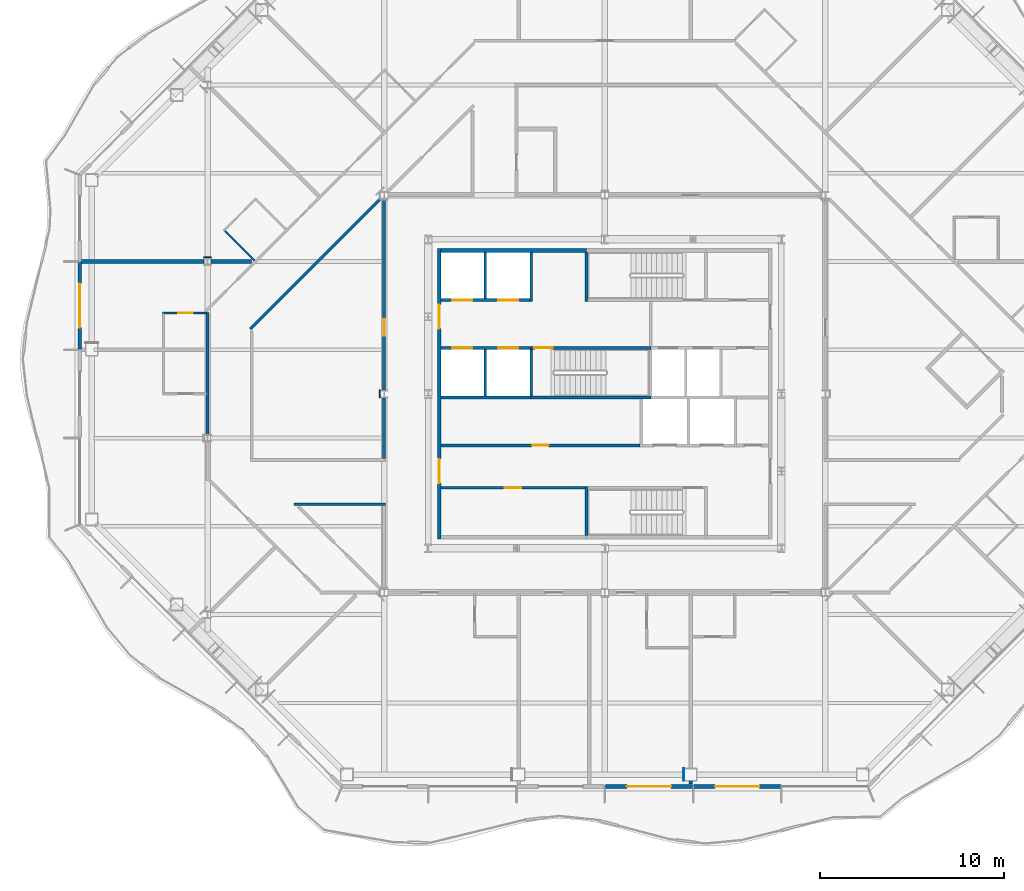
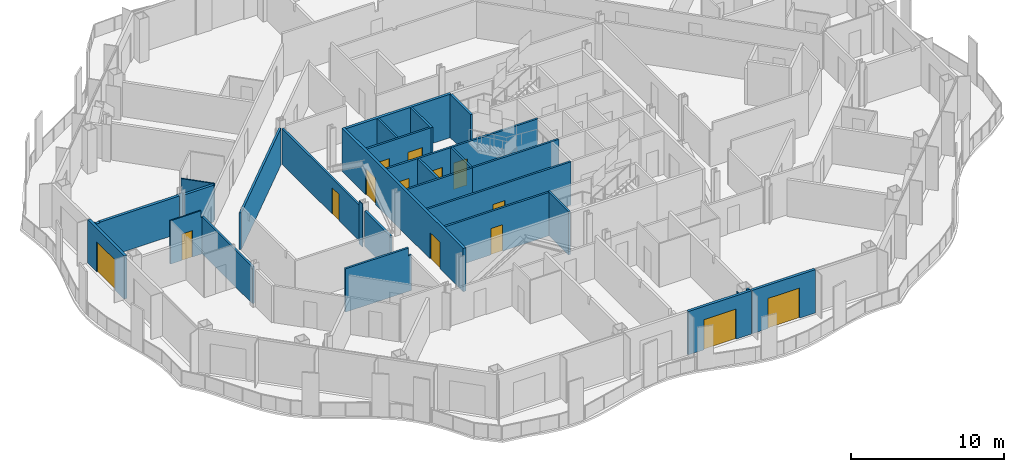
# One storey, part 8 of 21: 31 walls, 14 doors, 14 openings.
"""IFC4 building model written with IfcOpenShell, lengths in metres."""

from ifc_helpers import new_model, si_unit, direction, frame, frame_2d, origin, place, context, subcontext, project, spatial, polyline, rectangle, outline, extrude, material, layer, layer_set, type_object, element, fill, save


model = new_model("IFC4")

# Units and contexts
model_context = context("Model", 3, precision=1e-05, world=origin(), true_north=direction((0.0, 1.0)))
body_context = subcontext(model_context, "Body", "Model", "MODEL_VIEW")
ifc_project = project(units=[si_unit("LENGTHUNIT", "METRE"), si_unit("AREAUNIT", "SQUARE_METRE"), si_unit("VOLUMEUNIT", "CUBIC_METRE"), si_unit("PLANEANGLEUNIT", "RADIAN"), si_unit("MASSUNIT", "GRAM", prefix="KILO")], contexts=[model_context])

# Site, building, storey
site_placement = place(None, origin())
site = spatial("IfcSite", under=ifc_project, at=site_placement, CompositionType="ELEMENT")
building_placement = place(site_placement, origin())
building = spatial("IfcBuilding", under=site, at=building_placement, Name="Cairn Pilgrim Tower", CompositionType="ELEMENT")
storey_placement = place(building_placement, frame((0.0, 0.0, 132.60009765625)))
storey = spatial("IfcBuildingStorey", under=building, at=storey_placement, Name="L32", CompositionType="ELEMENT", Elevation=132.60009765625)

# Wall, opening, door
ifc_material_1 = material(Name="Bronze anodised aluminium insulated sandwich panel with mineral wool fill", Category="aluminium")
ifc_layer_1 = layer(ifc_material_1, 0.199951171875)
ifc_layer_set_1 = layer_set([ifc_layer_1], Name="BRONZE INFILL FRAME WALL 200")
wall_type_1 = type_object("IfcWallType", Name="BRONZE INFILL FRAME WALL 200", PredefinedType="NOTDEFINED", material=ifc_layer_set_1)
wall_1_placement = place(storey_placement, frame((7.22998046875, -18.949951171875, 0.0), z_axis=(0.0, 0.0, 1.0), x_axis=(1.0, 0.0, 0.0)))
wall_1 = element("IfcWall", 1, at=wall_1_placement, inside=storey, type_object=wall_type_1, Name="Bronze infill frame wall IW-S4", PredefinedType="NOTDEFINED", context=body_context, shape_type="SweptSolid", body=[
    extrude(rectangle(XDim=4.739990234375, YDim=0.199951171875, at=frame_2d((2.3701171875, 0.0))), origin(), (0.0, 0.0, 1.0), 3.449951171875),
])
opening_1_placement = place(wall_1_placement, frame((1.17041015625, 0.0, 0.0)))
opening_1 = element("IfcOpeningElement", 2, at=opening_1_placement, cuts=wall_1, Name="Opening 3201B", PredefinedType="OPENING", context=body_context, shape_type="SweptSolid", body=[
    extrude(rectangle(XDim=2.39990234375, YDim=2.39990234375, at=frame_2d((1.199951171875, 1.199951171875))), frame((0.0, 0.10986328125, 0.0), z_axis=(0.0, -1.0, 0.0), x_axis=(1.0, 0.0, 0.0)), (0.0, 0.0, 1.0), 0.219970703125),
])
ifc_material_2 = material(Name="Bronze anodised aluminium frame with tinted low-E glass", Category="aluminium")
door_type_1 = type_object("IfcDoorType", Name="BALCONY SLIDING DOOR 2400x2400", OperationType="DOUBLE_DOOR_SLIDING", PredefinedType="DOOR", material=ifc_material_2)
door_1_placement = place(opening_1_placement, origin())
door_1 = element("IfcDoor", 3, at=door_1_placement, inside=storey, type_object=door_type_1, Name="Balcony sliding door 3201B", OperationType="SINGLE_SWING_LEFT", OverallHeight=2.39990234375, OverallWidth=2.39990234375, PredefinedType="DOOR", context=body_context, shape_type="SweptSolid", body=[
    extrude(rectangle(XDim=2.39990234375, YDim=2.39990234375, at=frame_2d((1.199951171875, 1.199951171875))), frame((0.0, 0.02490234375, 0.0), z_axis=(0.0, -1.0, 0.0), x_axis=(1.0, 0.0, 0.0)), (0.0, 0.0, 1.0), 0.050048828125),
])
fill(opening_1, door_1)

wall_2_placement = place(storey_placement, frame((12.030029296875, -18.949951171875, 0.0), z_axis=(0.0, 0.0, 1.0), x_axis=(1.0, 0.0, 0.0)))
wall_2 = element("IfcWall", 4, at=wall_2_placement, inside=storey, type_object=wall_type_1, Name="Bronze infill frame wall IW-S5", PredefinedType="NOTDEFINED", context=body_context, shape_type="SweptSolid", body=[
    extrude(rectangle(XDim=4.739990234375, YDim=0.199951171875, at=frame_2d((2.3701171875, 0.0))), origin(), (0.0, 0.0, 1.0), 3.449951171875),
])
opening_2_placement = place(wall_2_placement, frame((1.169677734375, 0.0, 0.0)))
opening_2 = element("IfcOpeningElement", 5, at=opening_2_placement, cuts=wall_2, Name="Opening 3202B", PredefinedType="OPENING", context=body_context, shape_type="SweptSolid", body=[
    extrude(rectangle(XDim=2.39990234375, YDim=2.39990234375, at=frame_2d((1.199951171875, 1.199951171875))), frame((0.0, 0.10986328125, 0.0), z_axis=(0.0, -1.0, 0.0), x_axis=(1.0, 0.0, 0.0)), (0.0, 0.0, 1.0), 0.219970703125),
])
door_2_placement = place(opening_2_placement, origin())
door_2 = element("IfcDoor", 6, at=door_2_placement, inside=storey, type_object=door_type_1, Name="Balcony sliding door 3202B", OperationType="SINGLE_SWING_LEFT", OverallHeight=2.39990234375, OverallWidth=2.39990234375, PredefinedType="DOOR", context=body_context, shape_type="SweptSolid", body=[
    extrude(rectangle(XDim=2.39990234375, YDim=2.39990234375, at=frame_2d((1.199951171875, 1.199951171875))), frame((0.0, 0.02490234375, 0.0), z_axis=(0.0, -1.0, 0.0), x_axis=(1.0, 0.0, 0.0)), (0.0, 0.0, 1.0), 0.050048828125),
])
fill(opening_2, door_2)

wall_3_placement = place(storey_placement, frame((-21.35009765625, 9.570068359375, 0.0), z_axis=(0.0, 0.0, 1.0), x_axis=(0.0, -1.0, 0.0)))
wall_3 = element("IfcWall", 7, at=wall_3_placement, inside=storey, type_object=wall_type_1, Name="Bronze infill frame wall IW-W2", PredefinedType="NOTDEFINED", context=body_context, shape_type="SweptSolid", body=[
    extrude(rectangle(XDim=4.739990234375, YDim=0.199951171875, at=frame_2d((2.3701171875, 0.0))), origin(), (0.0, 0.0, 1.0), 3.449951171875),
])
opening_3_placement = place(wall_3_placement, frame((1.169921875, 0.0, 0.0)))
opening_3 = element("IfcOpeningElement", 8, at=opening_3_placement, cuts=wall_3, Name="Opening 3213B", PredefinedType="OPENING", context=body_context, shape_type="SweptSolid", body=[
    extrude(rectangle(XDim=2.39990234375, YDim=2.39990234375, at=frame_2d((1.199951171875, 1.199951171875))), frame((0.0, 0.10986328125, 0.0), z_axis=(0.0, -1.0, 0.0), x_axis=(1.0, 0.0, 0.0)), (0.0, 0.0, 1.0), 0.219970703125),
])
door_3_placement = place(opening_3_placement, origin())
door_3 = element("IfcDoor", 9, at=door_3_placement, inside=storey, type_object=door_type_1, Name="Balcony sliding door 3213B", OperationType="SINGLE_SWING_LEFT", OverallHeight=2.39990234375, OverallWidth=2.39990234375, PredefinedType="DOOR", context=body_context, shape_type="SweptSolid", body=[
    extrude(rectangle(XDim=2.39990234375, YDim=2.39990234375, at=frame_2d((1.199951171875, 1.199951171875))), frame((0.0, 0.02490234375, 0.0), z_axis=(0.0, -1.0, 0.0), x_axis=(1.0, 0.0, 0.0)), (0.0, 0.0, 1.0), 0.050048828125),
])
fill(opening_3, door_3)

# Wall
ifc_material_3 = material(Name="Concrete C32/40", Category="concrete")
ifc_layer_2 = layer(ifc_material_3, 0.199951171875)
ifc_layer_set_2 = layer_set([ifc_layer_2], Name="CORE OUTER WALL 200 EI 120")
wall_type_2 = type_object("IfcWallType", Name="CORE OUTER WALL 200 EI 120", PredefinedType="SOLIDWALL", material=ifc_layer_set_2)
wall_4_placement = place(storey_placement, frame((-1.699951171875, 10.199951171875, 0.0), z_axis=(0.0, 0.0, 1.0), x_axis=(1.0, 0.0, 0.0)))
element("IfcWall", 10, at=wall_4_placement, inside=storey, type_object=wall_type_2, Name="CW:L32:H12-1", PredefinedType="SOLIDWALL", context=body_context, shape_type="SweptSolid", body=[
    extrude(rectangle(XDim=7.89990234375, YDim=0.199951171875, at=frame_2d((3.949951171875, 0.0))), origin(), (0.0, 0.0, 1.0), 3.449951171875),
])

# Wall, openings, doors
wall_5_placement = place(storey_placement, frame((-1.800048828125, -5.5, 0.0), z_axis=(0.0, 0.0, 1.0), x_axis=(0.0, 1.0, 0.0)))
wall_5 = element("IfcWall", 11, at=wall_5_placement, inside=storey, type_object=wall_type_2, Name="CW:L32:V13", PredefinedType="SOLIDWALL", context=body_context, shape_type="SweptSolid", body=[
    extrude(rectangle(XDim=15.800048828125, YDim=0.199951171875, at=frame_2d((7.89990234375, 0.0))), origin(), (0.0, 0.0, 1.0), 3.449951171875),
])
opening_4_placement = place(wall_5_placement, frame((3.050048828125, 0.0, 0.0)))
opening_4 = element("IfcOpeningElement", 12, at=opening_4_placement, cuts=wall_5, Name="Opening CD-W1", PredefinedType="OPENING", context=body_context, shape_type="SweptSolid", body=[
    extrude(rectangle(XDim=1.300048828125, YDim=2.10009765625, at=frame_2d((0.64990234375, 1.050048828125))), frame((0.0, 0.10986328125, 0.0), z_axis=(0.0, -1.0, 0.0), x_axis=(1.0, 0.0, 0.0)), (0.0, 0.0, 1.0), 0.219970703125),
])
opening_5_placement = place(wall_5_placement, frame((11.449951171875, 0.0, 0.0)))
opening_5 = element("IfcOpeningElement", 13, at=opening_5_placement, cuts=wall_5, Name="Opening CD-W2", PredefinedType="OPENING", context=body_context, shape_type="SweptSolid", body=[
    extrude(rectangle(XDim=1.300048828125, YDim=2.10009765625, at=frame_2d((0.64990234375, 1.050048828125))), frame((0.0, 0.10986328125, 0.0), z_axis=(0.0, -1.0, 0.0), x_axis=(1.0, 0.0, 0.0)), (0.0, 0.0, 1.0), 0.219970703125),
])
ifc_material_4 = material(Name="Painted steel", Category="steel")
door_type_2 = type_object("IfcDoorType", Name="CORE LOBBY DOOR 1300x2100", OperationType="DOUBLE_DOOR_SINGLE_SWING", PredefinedType="DOOR", material=ifc_material_4)
door_4_placement = place(opening_4_placement, origin())
door_4 = element("IfcDoor", 14, at=door_4_placement, inside=storey, type_object=door_type_2, Name="CD-W1", OperationType="DOUBLE_DOOR_SINGLE_SWING", OverallHeight=2.10009765625, OverallWidth=1.300048828125, PredefinedType="DOOR", context=body_context, shape_type="SweptSolid", body=[
    extrude(rectangle(XDim=1.300048828125, YDim=2.10009765625, at=frame_2d((0.64990234375, 1.050048828125))), frame((0.0, 0.02490234375, 0.0), z_axis=(0.0, -1.0, 0.0), x_axis=(1.0, 0.0, 0.0)), (0.0, 0.0, 1.0), 0.050048828125),
])
fill(opening_4, door_4)
door_5_placement = place(opening_5_placement, origin())
door_5 = element("IfcDoor", 15, at=door_5_placement, inside=storey, type_object=door_type_2, Name="CD-W2", OperationType="DOUBLE_DOOR_SINGLE_SWING", OverallHeight=2.10009765625, OverallWidth=1.300048828125, PredefinedType="DOOR", context=body_context, shape_type="SweptSolid", body=[
    extrude(rectangle(XDim=1.300048828125, YDim=2.10009765625, at=frame_2d((0.64990234375, 1.050048828125))), frame((0.0, 0.02490234375, 0.0), z_axis=(0.0, -1.0, 0.0), x_axis=(1.0, 0.0, 0.0)), (0.0, 0.0, 1.0), 0.050048828125),
])
fill(opening_5, door_5)

# Wall, opening, door
ifc_layer_3 = layer(ifc_material_3, 0.14990234375)
ifc_layer_set_3 = layer_set([ifc_layer_3], Name="CORE PARTITION 150 EI 60")
wall_type_3 = type_object("IfcWallType", Name="CORE PARTITION 150 EI 60", PredefinedType="PARTITIONING", material=ifc_layer_set_3)
wall_6_placement = place(storey_placement, frame((-1.699951171875, -2.699951171875, 0.0), z_axis=(0.0, 0.0, 1.0), x_axis=(1.0, 0.0, 0.0)))
wall_6 = element("IfcWall", 16, at=wall_6_placement, inside=storey, type_object=wall_type_3, Name="CW:L32:H02", PredefinedType="PARTITIONING", context=body_context, shape_type="SweptSolid", body=[
    extrude(rectangle(XDim=7.824951171875, YDim=0.14990234375, at=frame_2d((3.91259765625, 0.0))), origin(), (0.0, 0.0, 1.0), 3.449951171875),
])
opening_6_placement = place(wall_6_placement, frame((3.449951171875, 0.0, 0.0)))
opening_6 = element("IfcOpeningElement", 17, at=opening_6_placement, cuts=wall_6, Name="Opening RD-R1W1", PredefinedType="OPENING", context=body_context, shape_type="SweptSolid", body=[
    extrude(rectangle(XDim=0.89990234375, YDim=2.10009765625, at=frame_2d((0.449951171875, 1.050048828125))), frame((0.0, 0.0849609375, 0.0), z_axis=(0.0, -1.0, 0.0), x_axis=(1.0, 0.0, 0.0)), (0.0, 0.0, 1.0), 0.169921875),
])
door_type_3 = type_object("IfcDoorType", Name="SERVICE ROOM DOOR 900x2100", OperationType="SINGLE_SWING_LEFT", PredefinedType="DOOR", material=ifc_material_4)
door_6_placement = place(opening_6_placement, origin())
door_6 = element("IfcDoor", 18, at=door_6_placement, inside=storey, type_object=door_type_3, Name="RD-R1W1", OperationType="SINGLE_SWING_LEFT", OverallHeight=2.10009765625, OverallWidth=0.89990234375, PredefinedType="DOOR", context=body_context, shape_type="SweptSolid", body=[
    extrude(rectangle(XDim=0.89990234375, YDim=2.10009765625, at=frame_2d((0.449951171875, 1.050048828125))), frame((0.0, 0.02490234375, 0.0), z_axis=(0.0, -1.0, 0.0), x_axis=(1.0, 0.0, 0.0)), (0.0, 0.0, 1.0), 0.050048828125),
])
fill(opening_6, door_6)

wall_7_placement = place(storey_placement, frame((-1.699951171875, -0.39990234375, 0.0), z_axis=(0.0, 0.0, 1.0), x_axis=(1.0, 0.0, 0.0)))
wall_7 = element("IfcWall", 19, at=wall_7_placement, inside=storey, type_object=wall_type_3, Name="CW:L32:H04", PredefinedType="PARTITIONING", context=body_context, shape_type="SweptSolid", body=[
    extrude(rectangle(XDim=10.824951171875, YDim=0.14990234375, at=frame_2d((5.41259765625, 0.0))), origin(), (0.0, 0.0, 1.0), 3.449951171875),
])
opening_7_placement = place(wall_7_placement, frame((4.949951171875, 0.0, 0.0)))
opening_7 = element("IfcOpeningElement", 20, at=opening_7_placement, cuts=wall_7, Name="Opening RD-R2W1", PredefinedType="OPENING", context=body_context, shape_type="SweptSolid", body=[
    extrude(rectangle(XDim=0.89990234375, YDim=2.10009765625, at=frame_2d((0.449951171875, 1.050048828125))), frame((0.0, 0.0849609375, 0.0), z_axis=(0.0, -1.0, 0.0), x_axis=(1.0, 0.0, 0.0)), (0.0, 0.0, 1.0), 0.169921875),
])
door_7_placement = place(opening_7_placement, origin())
door_7 = element("IfcDoor", 21, at=door_7_placement, inside=storey, type_object=door_type_3, Name="RD-R2W1", OperationType="SINGLE_SWING_RIGHT", OverallHeight=2.10009765625, OverallWidth=0.89990234375, PredefinedType="DOOR", context=body_context, shape_type="SweptSolid", body=[
    extrude(rectangle(XDim=0.89990234375, YDim=2.10009765625, at=frame_2d((0.449951171875, 1.050048828125))), frame((0.0, 0.02490234375, 0.0), z_axis=(0.0, -1.0, 0.0), x_axis=(1.0, 0.0, 0.0)), (0.0, 0.0, 1.0), 0.050048828125),
])
fill(opening_7, door_7)

# Wall
ifc_layer_4 = layer(ifc_material_3, 0.14990234375)
ifc_layer_set_4 = layer_set([ifc_layer_4], Name="CORE SHAFT WALL 150 EI 120")
wall_type_4 = type_object("IfcWallType", Name="CORE SHAFT WALL 150 EI 120", PredefinedType="SOLIDWALL", material=ifc_layer_set_4)
wall_8_placement = place(storey_placement, frame((-1.699951171875, 2.199951171875, 0.0), z_axis=(0.0, 0.0, 1.0), x_axis=(1.0, 0.0, 0.0)))
element("IfcWall", 22, at=wall_8_placement, inside=storey, type_object=wall_type_4, Name="CW:L32:H07-1", PredefinedType="SOLIDWALL", context=body_context, shape_type="SweptSolid", body=[
    extrude(rectangle(XDim=4.89990234375, YDim=0.14990234375, at=frame_2d((2.449951171875, 0.0))), origin(), (0.0, 0.0, 1.0), 3.449951171875),
])

# Wall, openings, doors
wall_9_placement = place(storey_placement, frame((-1.699951171875, 4.89990234375, 0.0), z_axis=(0.0, 0.0, 1.0), x_axis=(1.0, 0.0, 0.0)))
wall_9 = element("IfcWall", 23, at=wall_9_placement, inside=storey, type_object=wall_type_4, Name="CW:L32:H09-1", PredefinedType="SOLIDWALL", context=body_context, shape_type="SweptSolid", body=[
    extrude(rectangle(XDim=4.89990234375, YDim=0.14990234375, at=frame_2d((2.449951171875, 0.0))), origin(), (0.0, 0.0, 1.0), 3.449951171875),
])
opening_8_placement = place(wall_9_placement, frame((0.60009765625, 0.0, 0.0)))
opening_8 = element("IfcOpeningElement", 24, at=opening_8_placement, cuts=wall_9, Name="Opening LD-HR1", PredefinedType="OPENING", context=body_context, shape_type="SweptSolid", body=[
    extrude(rectangle(XDim=1.10009765625, YDim=2.10009765625, at=frame_2d((0.550048828125, 1.050048828125))), frame((0.0, 0.0849609375, 0.0), z_axis=(0.0, -1.0, 0.0), x_axis=(1.0, 0.0, 0.0)), (0.0, 0.0, 1.0), 0.169921875),
])
opening_9_placement = place(wall_9_placement, frame((3.10009765625, 0.0, 0.0)))
opening_9 = element("IfcOpeningElement", 25, at=opening_9_placement, cuts=wall_9, Name="Opening LD-HR2", PredefinedType="OPENING", context=body_context, shape_type="SweptSolid", body=[
    extrude(rectangle(XDim=1.10009765625, YDim=2.10009765625, at=frame_2d((0.550048828125, 1.050048828125))), frame((0.0, 0.0849609375, 0.0), z_axis=(0.0, -1.0, 0.0), x_axis=(1.0, 0.0, 0.0)), (0.0, 0.0, 1.0), 0.169921875),
])
ifc_material_5 = material(Name="Stainless steel", Category="steel")
door_type_4 = type_object("IfcDoorType", Name="LIFT LANDING DOOR 1100x2100", OperationType="DOUBLE_DOOR_SLIDING", PredefinedType="DOOR", material=ifc_material_5)
door_8_placement = place(opening_8_placement, origin())
door_8 = element("IfcDoor", 26, at=door_8_placement, inside=storey, type_object=door_type_4, Name="LANDING DOOR HR1", OperationType="DOUBLE_DOOR_SLIDING", OverallHeight=2.10009765625, OverallWidth=1.10009765625, PredefinedType="DOOR", context=body_context, shape_type="SweptSolid", body=[
    extrude(rectangle(XDim=1.10009765625, YDim=2.10009765625, at=frame_2d((0.550048828125, 1.050048828125))), frame((0.0, 0.02490234375, 0.0), z_axis=(0.0, -1.0, 0.0), x_axis=(1.0, 0.0, 0.0)), (0.0, 0.0, 1.0), 0.050048828125),
])
fill(opening_8, door_8)
door_9_placement = place(opening_9_placement, origin())
door_9 = element("IfcDoor", 27, at=door_9_placement, inside=storey, type_object=door_type_4, Name="LANDING DOOR HR2", OperationType="DOUBLE_DOOR_SLIDING", OverallHeight=2.10009765625, OverallWidth=1.10009765625, PredefinedType="DOOR", context=body_context, shape_type="SweptSolid", body=[
    extrude(rectangle(XDim=1.10009765625, YDim=2.10009765625, at=frame_2d((0.550048828125, 1.050048828125))), frame((0.0, 0.02490234375, 0.0), z_axis=(0.0, -1.0, 0.0), x_axis=(1.0, 0.0, 0.0)), (0.0, 0.0, 1.0), 0.050048828125),
])
fill(opening_9, door_9)

wall_10_placement = place(storey_placement, frame((-1.699951171875, 7.5, 0.0), z_axis=(0.0, 0.0, 1.0), x_axis=(1.0, 0.0, 0.0)))
wall_10 = element("IfcWall", 28, at=wall_10_placement, inside=storey, type_object=wall_type_4, Name="CW:L32:H10", PredefinedType="SOLIDWALL", context=body_context, shape_type="SweptSolid", body=[
    extrude(rectangle(XDim=4.824951171875, YDim=0.14990234375, at=frame_2d((2.41259765625, 0.0))), origin(), (0.0, 0.0, 1.0), 3.449951171875),
])
opening_10_placement = place(wall_10_placement, frame((0.60009765625, 0.0, 0.0)))
opening_10 = element("IfcOpeningElement", 29, at=opening_10_placement, cuts=wall_10, Name="Opening LD-HR3", PredefinedType="OPENING", context=body_context, shape_type="SweptSolid", body=[
    extrude(rectangle(XDim=1.10009765625, YDim=2.10009765625, at=frame_2d((0.550048828125, 1.050048828125))), frame((0.0, 0.0849609375, 0.0), z_axis=(0.0, -1.0, 0.0), x_axis=(1.0, 0.0, 0.0)), (0.0, 0.0, 1.0), 0.169921875),
])
opening_11_placement = place(wall_10_placement, frame((3.10009765625, 0.0, 0.0)))
opening_11 = element("IfcOpeningElement", 30, at=opening_11_placement, cuts=wall_10, Name="Opening LD-HR4", PredefinedType="OPENING", context=body_context, shape_type="SweptSolid", body=[
    extrude(rectangle(XDim=1.10009765625, YDim=2.10009765625, at=frame_2d((0.550048828125, 1.050048828125))), frame((0.0, 0.0849609375, 0.0), z_axis=(0.0, -1.0, 0.0), x_axis=(1.0, 0.0, 0.0)), (0.0, 0.0, 1.0), 0.169921875),
])
door_10_placement = place(opening_10_placement, origin())
door_10 = element("IfcDoor", 31, at=door_10_placement, inside=storey, type_object=door_type_4, Name="LANDING DOOR HR3", OperationType="DOUBLE_DOOR_SLIDING", OverallHeight=2.10009765625, OverallWidth=1.10009765625, PredefinedType="DOOR", context=body_context, shape_type="SweptSolid", body=[
    extrude(rectangle(XDim=1.10009765625, YDim=2.10009765625, at=frame_2d((0.550048828125, 1.050048828125))), frame((0.0, 0.02490234375, 0.0), z_axis=(0.0, -1.0, 0.0), x_axis=(1.0, 0.0, 0.0)), (0.0, 0.0, 1.0), 0.050048828125),
])
fill(opening_10, door_10)
door_11_placement = place(opening_11_placement, origin())
door_11 = element("IfcDoor", 32, at=door_11_placement, inside=storey, type_object=door_type_4, Name="LANDING DOOR HR4", OperationType="DOUBLE_DOOR_SLIDING", OverallHeight=2.10009765625, OverallWidth=1.10009765625, PredefinedType="DOOR", context=body_context, shape_type="SweptSolid", body=[
    extrude(rectangle(XDim=1.10009765625, YDim=2.10009765625, at=frame_2d((0.550048828125, 1.050048828125))), frame((0.0, 0.02490234375, 0.0), z_axis=(0.0, -1.0, 0.0), x_axis=(1.0, 0.0, 0.0)), (0.0, 0.0, 1.0), 0.050048828125),
])
fill(opening_11, door_11)

# Walls
wall_11_placement = place(storey_placement, frame((0.699951171875, 2.27490234375, 0.0), z_axis=(0.0, 0.0, 1.0), x_axis=(0.0, 1.0, 0.0)))
element("IfcWall", 33, at=wall_11_placement, inside=storey, type_object=wall_type_4, Name="CW:L32:V14", PredefinedType="SOLIDWALL", context=body_context, shape_type="SweptSolid", body=[
    extrude(rectangle(XDim=2.550048828125, YDim=0.14990234375, at=frame_2d((1.27490234375, 0.0))), origin(), (0.0, 0.0, 1.0), 3.449951171875),
])
wall_12_placement = place(storey_placement, frame((0.699951171875, 7.574951171875, 0.0), z_axis=(0.0, 0.0, 1.0), x_axis=(0.0, 1.0, 0.0)))
element("IfcWall", 34, at=wall_12_placement, inside=storey, type_object=wall_type_4, Name="CW:L32:V15", PredefinedType="SOLIDWALL", context=body_context, shape_type="SweptSolid", body=[
    extrude(rectangle(XDim=2.525146484375, YDim=0.14990234375, at=frame_2d((1.2626953125, 0.0))), origin(), (0.0, 0.0, 1.0), 3.449951171875),
])
wall_13_placement = place(storey_placement, frame((3.199951171875, 7.425048828125, 0.0), z_axis=(0.0, 0.0, 1.0), x_axis=(0.0, 1.0, 0.0)))
element("IfcWall", 35, at=wall_13_placement, inside=storey, type_object=wall_type_4, Name="CW:L32:V17", PredefinedType="SOLIDWALL", context=body_context, shape_type="SweptSolid", body=[
    extrude(rectangle(XDim=2.675048828125, YDim=0.14990234375, at=frame_2d((1.33740234375, 0.0))), origin(), (0.0, 0.0, 1.0), 3.449951171875),
])

# Wall, opening, door
ifc_material_6 = material(Name="Gypsum partition")
ifc_layer_5 = layer(ifc_material_6, 0.10009765625)
ifc_layer_set_5 = layer_set([ifc_layer_5], Name="PARTITION 100 DRYWALL")
wall_type_5 = type_object("IfcWallType", Name="PARTITION 100 DRYWALL", PredefinedType="PARTITIONING", material=ifc_layer_set_5)
wall_14_placement = place(storey_placement, frame((-16.85009765625, 6.800048828125, 0.0), z_axis=(0.0, 0.0, 1.0), x_axis=(1.0, 0.0, 0.0)))
wall_14 = element("IfcWall", 36, at=wall_14_placement, inside=storey, type_object=wall_type_5, Name="PARTITION W060", PredefinedType="PARTITIONING", context=body_context, shape_type="SweptSolid", body=[
    extrude(outline(polyline([(0.0, 0.0), (2.375, 0.0), (2.375, 2.929931640625), (2.300048828125, 2.929931640625), (2.298095703125, 3.449951171875), (0.0, 3.449951171875), (0.0, 0.0)])), frame((0.0, 0.050048828125, 0.0), z_axis=(0.0, -1.0, 0.0), x_axis=(1.0, 0.0, 0.0)), (0.0, 0.0, 1.0), 0.10009765625),
])
opening_12_placement = place(wall_14_placement, frame((0.85009765625, 0.0, 0.0)))
opening_12 = element("IfcOpeningElement", 37, at=opening_12_placement, cuts=wall_14, Name="Opening 3213A", PredefinedType="OPENING", context=body_context, shape_type="SweptSolid", body=[
    extrude(rectangle(XDim=0.800048828125, YDim=2.10009765625, at=frame_2d((0.39990234375, 1.050048828125))), frame((0.0, 0.06005859375, 0.0), z_axis=(0.0, -1.0, 0.0), x_axis=(1.0, 0.0, 0.0)), (0.0, 0.0, 1.0), 0.1201171875),
])
ifc_material_7 = material(Name="Timber door leaf", Category="wood")
door_type_5 = type_object("IfcDoorType", Name="WC DOOR 800x2100", OperationType="NOTDEFINED", PredefinedType="DOOR", material=ifc_material_7)
door_12_placement = place(opening_12_placement, origin())
door_12 = element("IfcDoor", 38, at=door_12_placement, inside=storey, type_object=door_type_5, Name="DOOR 3213A", OperationType="SINGLE_SWING_RIGHT", OverallHeight=2.10009765625, OverallWidth=0.800048828125, PredefinedType="DOOR", context=body_context, shape_type="SweptSolid", body=[
    extrude(rectangle(XDim=0.800048828125, YDim=2.10009765625, at=frame_2d((0.39990234375, 1.050048828125))), frame((0.0, 0.02490234375, 0.0), z_axis=(0.0, -1.0, 0.0), x_axis=(1.0, 0.0, 0.0)), (0.0, 0.0, 1.0), 0.050048828125),
])
fill(opening_12, door_12)

# Walls
wall_15_placement = place(storey_placement, frame((-11.846923828125, 9.653076171875, 0.0), z_axis=(0.0, 0.0, 1.0), x_axis=(-0.707106781187, 0.707106781187, 0.0)))
element("IfcWall", 39, at=wall_15_placement, inside=storey, type_object=wall_type_5, Name="PARTITION W066", PredefinedType="PARTITIONING", context=body_context, shape_type="SweptSolid", body=[
    extrude(rectangle(XDim=2.27490234375, YDim=0.10009765625, at=frame_2d((1.137451171875, 0.0))), origin(), (0.0, 0.0, 1.0), 2.929931640625),
])
ifc_layer_6 = layer(ifc_material_6, 0.14990234375)
ifc_layer_set_6 = layer_set([ifc_layer_6], Name="PARTITION 150 DRYWALL EI 60")
wall_type_6 = type_object("IfcWallType", Name="PARTITION 150 DRYWALL EI 60", PredefinedType="PARTITIONING", material=ifc_layer_set_6)
wall_16_placement = place(storey_placement, frame((-9.7060546875, -3.60009765625, 0.0), z_axis=(0.0, 0.0, 1.0), x_axis=(1.0, 0.0, 0.0)))
element("IfcWall", 40, at=wall_16_placement, inside=storey, type_object=wall_type_6, Name="PARTITION W029", PredefinedType="PARTITIONING", context=body_context, shape_type="SweptSolid", body=[
    extrude(outline(polyline([(0.0, 0.0), (4.98095703125, 0.0), (4.981201171875, 2.829833984375), (4.756103515625, 2.829833984375), (4.754150390625, 3.449951171875), (0.0, 3.449951171875), (0.0, 0.0)])), frame((0.0, 0.074951171875, 0.0), z_axis=(0.0, -1.0, 0.0), x_axis=(1.0, 0.0, 0.0)), (0.0, 0.0, 1.0), 0.14990234375),
])
wall_17_placement = place(storey_placement, frame((-4.800048828125, -1.125, 0.0), z_axis=(0.0, 0.0, 1.0), x_axis=(0.0, 1.0, 0.0)))
element("IfcWall", 41, at=wall_17_placement, inside=storey, type_object=wall_type_6, Name="PARTITION W035", PredefinedType="PARTITIONING", context=body_context, shape_type="SweptSolid", body=[
    extrude(rectangle(XDim=3.3125, YDim=0.14990234375, at=frame_2d((1.65625, 0.0))), origin(), (0.0, 0.0, 1.0), 2.829833984375),
])
wall_18_placement = place(storey_placement, frame((-14.39990234375, 0.196533203125, 0.0), z_axis=(0.0, 0.0, 1.0), x_axis=(0.0, 1.0, 0.0)))
element("IfcWall", 42, at=wall_18_placement, inside=storey, type_object=wall_type_6, Name="PARTITION W039", PredefinedType="PARTITIONING", context=body_context, shape_type="SweptSolid", body=[
    extrude(rectangle(XDim=6.616455078125, YDim=0.14990234375, at=frame_2d((3.30810546875, 0.0))), origin(), (0.0, 0.0, 1.0), 2.929931640625),
])

# Wall, opening, door
wall_19_placement = place(storey_placement, frame((-4.800048828125, 2.612548828125, 0.0), z_axis=(0.0, 0.0, 1.0), x_axis=(0.0, 1.0, 0.0)))
wall_19 = element("IfcWall", 43, at=wall_19_placement, inside=storey, type_object=wall_type_6, Name="PARTITION W046", PredefinedType="PARTITIONING", context=body_context, shape_type="SweptSolid", body=[
    extrude(rectangle(XDim=10.375, YDim=0.14990234375, at=frame_2d((5.1875, 0.0))), origin(), (0.0, 0.0, 1.0), 2.829833984375),
])
opening_13_placement = place(wall_19_placement, frame((2.9375, 0.0, 0.0)))
opening_13 = element("IfcOpeningElement", 44, at=opening_13_placement, cuts=wall_19, Name="Opening 3224", PredefinedType="OPENING", context=body_context, shape_type="SweptSolid", body=[
    extrude(rectangle(XDim=0.89990234375, YDim=2.10009765625, at=frame_2d((0.449951171875, 1.050048828125))), frame((0.0, 0.0849609375, 0.0), z_axis=(0.0, -1.0, 0.0), x_axis=(1.0, 0.0, 0.0)), (0.0, 0.0, 1.0), 0.169921875),
])
door_type_6 = type_object("IfcDoorType", Name="SERVICE DOOR 900x2100 FD30S", OperationType="NOTDEFINED", PredefinedType="DOOR", material=ifc_material_7)
door_13_placement = place(opening_13_placement, origin())
door_13 = element("IfcDoor", 45, at=door_13_placement, inside=storey, type_object=door_type_6, Name="DOOR 3224", OperationType="SINGLE_SWING_LEFT", OverallHeight=2.10009765625, OverallWidth=0.89990234375, PredefinedType="DOOR", context=body_context, shape_type="SweptSolid", body=[
    extrude(rectangle(XDim=0.89990234375, YDim=2.10009765625, at=frame_2d((0.449951171875, 1.050048828125))), frame((0.0, 0.02490234375, 0.0), z_axis=(0.0, -1.0, 0.0), x_axis=(1.0, 0.0, 0.0)), (0.0, 0.0, 1.0), 0.050048828125),
])
fill(opening_13, door_13)

# Walls
wall_20_placement = place(storey_placement, frame((-12.074951171875, 5.925048828125, 0.0), z_axis=(0.0, 0.0, 1.0), x_axis=(0.707106781187, 0.707106781187, 0.0)))
element("IfcWall", 46, at=wall_20_placement, inside=storey, type_object=wall_type_6, Name="PARTITION W057", PredefinedType="PARTITIONING", context=body_context, shape_type="SweptSolid", body=[
    extrude(rectangle(XDim=9.993408203125, YDim=0.14990234375, at=frame_2d((4.99658203125, 0.0))), origin(), (0.0, 0.0, 1.0), 2.929931640625),
])
ifc_layer_7 = layer(ifc_material_6, 0.050048828125)
ifc_layer_set_7 = layer_set([ifc_layer_7], Name="PARTITION 50 DRYWALL EI 60")
wall_type_7 = type_object("IfcWallType", Name="PARTITION 50 DRYWALL EI 60", PredefinedType="PARTITIONING", material=ifc_layer_set_7)
wall_21_placement = place(storey_placement, frame((11.500732421875, -18.64990234375, 0.0), z_axis=(0.0, 0.0, 1.0), x_axis=(0.0, 1.0, 0.0)))
element("IfcWall", 47, at=wall_21_placement, inside=storey, type_object=wall_type_7, Name="COLUMN CASING WC02", PredefinedType="PARTITIONING", context=body_context, shape_type="SweptSolid", body=[
    extrude(rectangle(XDim=0.699951171875, YDim=0.050048828125, at=frame_2d((0.35009765625, 0.0))), origin(), (0.0, 0.0, 1.0), 2.929931640625),
])
wall_22_placement = place(storey_placement, frame((-5.029541015625, 2.1875, 0.0), z_axis=(0.0, 0.0, 1.0), x_axis=(0.0, 1.0, 0.0)))
element("IfcWall", 48, at=wall_22_placement, inside=storey, type_object=wall_type_7, Name="COLUMN CASING WC19", PredefinedType="PARTITIONING", context=body_context, shape_type="SweptSolid", body=[
    extrude(rectangle(XDim=0.425048828125, YDim=0.050048828125, at=frame_2d((0.21240234375, 0.0))), origin(), (0.0, 0.0, 1.0), 3.449951171875),
])
wall_23_placement = place(storey_placement, frame((-14.599609375, 9.821533203125, 0.0), z_axis=(0.0, 0.0, 1.0), x_axis=(1.0, 0.0, 0.0)))
element("IfcWall", 49, at=wall_23_placement, inside=storey, type_object=wall_type_7, Name="COLUMN CASING WC28", PredefinedType="PARTITIONING", context=body_context, shape_type="SweptSolid", body=[
    extrude(rectangle(XDim=0.399169921875, YDim=0.050048828125, at=frame_2d((0.19970703125, 0.0))), origin(), (0.0, 0.0, 1.0), 2.929931640625),
])
ifc_layer_8 = layer(ifc_material_6, 0.199951171875)
ifc_layer_set_8 = layer_set([ifc_layer_8], Name="SHAFT WALL 200 GYPSUM EI 60")
wall_type_8 = type_object("IfcWallType", Name="SHAFT WALL 200 GYPSUM EI 60", PredefinedType="PARTITIONING", material=ifc_layer_set_8)
wall_24_placement = place(storey_placement, frame((11.8759765625, -18.820068359375, 0.0), z_axis=(0.0, 0.0, 1.0), x_axis=(0.0, 1.0, 0.0)))
element("IfcWall", 50, at=wall_24_placement, inside=storey, type_object=wall_type_8, Name="PARTITION W003", PredefinedType="PARTITIONING", context=body_context, shape_type="SweptSolid", body=[
    extrude(rectangle(XDim=0.170166015625, YDim=0.199951171875, at=frame_2d((0.0849609375, 0.0))), origin(), (0.0, 0.0, 1.0), 3.449951171875),
])
wall_25_placement = place(storey_placement, frame((-21.25, 9.60009765625, 0.0), z_axis=(0.0, 0.0, 1.0), x_axis=(1.0, 0.0, 0.0)))
element("IfcWall", 51, at=wall_25_placement, inside=storey, type_object=wall_type_8, Name="PARTITION W062", PredefinedType="PARTITIONING", context=body_context, shape_type="SweptSolid", body=[
    extrude(outline(polyline([(0.0, 0.0), (6.650390625, 0.0), (6.650390625, 2.97998046875), (0.699951171875, 2.97998046875), (0.697998046875, 2.929931640625), (0.39990234375, 2.929931640625), (0.39794921875, 2.97998046875), (0.0, 2.97998046875), (0.0, 0.0)])), frame((0.0, 0.10009765625, 0.0), z_axis=(0.0, -1.0, 0.0), x_axis=(1.0, 0.0, 0.0)), (0.0, 0.0, 1.0), 0.199951171875),
])
wall_26_placement = place(storey_placement, frame((-14.200439453125, 9.60009765625, 0.0), z_axis=(0.0, 0.0, 1.0), x_axis=(1.0, 0.0, 0.0)))
element("IfcWall", 52, at=wall_26_placement, inside=storey, type_object=wall_type_8, Name="PARTITION W063", PredefinedType="PARTITIONING", context=body_context, shape_type="SweptSolid", body=[
    extrude(rectangle(XDim=2.200439453125, YDim=0.199951171875, at=frame_2d((1.10009765625, 0.0))), origin(), (0.0, 0.0, 1.0), 2.929931640625),
])
ifc_material_8 = material(Name="Concrete C35/45", Category="concrete")
ifc_layer_9 = layer(ifc_material_8, 0.14990234375)
ifc_layer_set_9 = layer_set([ifc_layer_9], Name="STAIR SHAFT WALL 150 EI 120")
wall_type_9 = type_object("IfcWallType", Name="STAIR SHAFT WALL 150 EI 120", PredefinedType="SOLIDWALL", material=ifc_layer_set_9)
wall_27_placement = place(storey_placement, frame((3.199951171875, 2.199951171875, 0.0), z_axis=(0.0, 0.0, 1.0), x_axis=(1.0, 0.0, 0.0)))
element("IfcWall", 53, at=wall_27_placement, inside=storey, type_object=wall_type_9, Name="CW:L32:H07-2", PredefinedType="SOLIDWALL", context=body_context, shape_type="SweptSolid", body=[
    extrude(rectangle(XDim=6.5, YDim=0.14990234375, at=frame_2d((3.25, 0.0))), origin(), (0.0, 0.0, 1.0), 3.449951171875),
])

# Wall, opening, door
wall_28_placement = place(storey_placement, frame((3.199951171875, 4.89990234375, 0.0), z_axis=(0.0, 0.0, 1.0), x_axis=(1.0, 0.0, 0.0)))
wall_28 = element("IfcWall", 54, at=wall_28_placement, inside=storey, type_object=wall_type_9, Name="CW:L32:H09-2", PredefinedType="SOLIDWALL", context=body_context, shape_type="SweptSolid", body=[
    extrude(rectangle(XDim=6.5, YDim=0.14990234375, at=frame_2d((3.25, 0.0))), origin(), (0.0, 0.0, 1.0), 3.449951171875),
])
opening_14_placement = place(wall_28_placement, frame((0.175048828125, 0.0, 0.0)))
opening_14 = element("IfcOpeningElement", 55, at=opening_14_placement, cuts=wall_28, Name="Opening SD-B", PredefinedType="OPENING", context=body_context, shape_type="SweptSolid", body=[
    extrude(rectangle(XDim=1.0, YDim=2.10009765625, at=frame_2d((0.5, 1.050048828125))), frame((0.0, 0.0849609375, 0.0), z_axis=(0.0, -1.0, 0.0), x_axis=(1.0, 0.0, 0.0)), (0.0, 0.0, 1.0), 0.169921875),
])
door_type_7 = type_object("IfcDoorType", Name="STAIR DOOR FD60S 1000x2100", OperationType="SINGLE_SWING_LEFT", PredefinedType="DOOR", material=ifc_material_4)
door_14_placement = place(opening_14_placement, origin())
door_14 = element("IfcDoor", 56, at=door_14_placement, inside=storey, type_object=door_type_7, Name="SD-B", OperationType="SINGLE_SWING_RIGHT", OverallHeight=2.10009765625, OverallWidth=1.0, PredefinedType="DOOR", context=body_context, shape_type="SweptSolid", body=[
    extrude(rectangle(XDim=1.0, YDim=2.10009765625, at=frame_2d((0.5, 1.050048828125))), frame((0.0, 0.02490234375, 0.0), z_axis=(0.0, -1.0, 0.0), x_axis=(1.0, 0.0, 0.0)), (0.0, 0.0, 1.0), 0.050048828125),
])
fill(opening_14, door_14)

# Walls
wall_29_placement = place(storey_placement, frame((3.199951171875, 2.27490234375, 0.0), z_axis=(0.0, 0.0, 1.0), x_axis=(0.0, 1.0, 0.0)))
element("IfcWall", 57, at=wall_29_placement, inside=storey, type_object=wall_type_9, Name="CW:L32:V16", PredefinedType="SOLIDWALL", context=body_context, shape_type="SweptSolid", body=[
    extrude(rectangle(XDim=2.550048828125, YDim=0.14990234375, at=frame_2d((1.27490234375, 0.0))), origin(), (0.0, 0.0, 1.0), 3.449951171875),
])
for number, where, z_axis, x_axis, name in (
    (58, (6.199951171875, -5.300048828125, 0.0), (0.0, 0.0, 1.0), (0.0, 1.0, 0.0), "CW:L32:V18"),
    (59, (6.199951171875, 7.425048828125, 0.0), (0.0, 0.0, 1.0), (0.0, 1.0, 0.0), "CW:L32:V19"),
):
    element("IfcWall", number, at=place(storey_placement, frame(where, z_axis=z_axis, x_axis=x_axis)), inside=storey, type_object=wall_type_9, Name=name, PredefinedType="SOLIDWALL", context=body_context, shape_type="SweptSolid", body=[
        extrude(rectangle(XDim=2.675048828125, YDim=0.14990234375, at=frame_2d((1.33740234375, 0.0))), origin(), (0.0, 0.0, 1.0), 3.449951171875),
    ])

save(model, "model.ifc")
